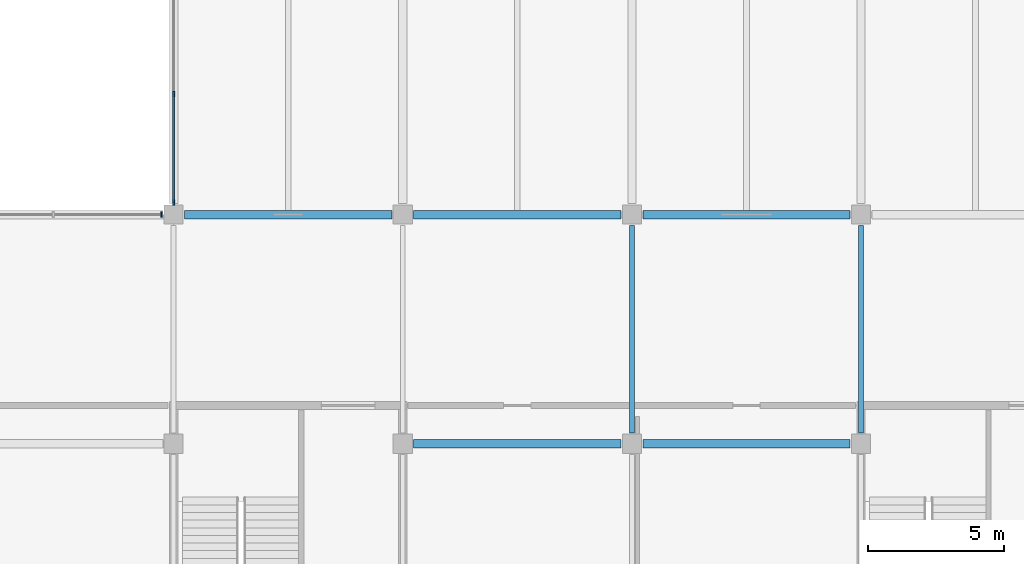
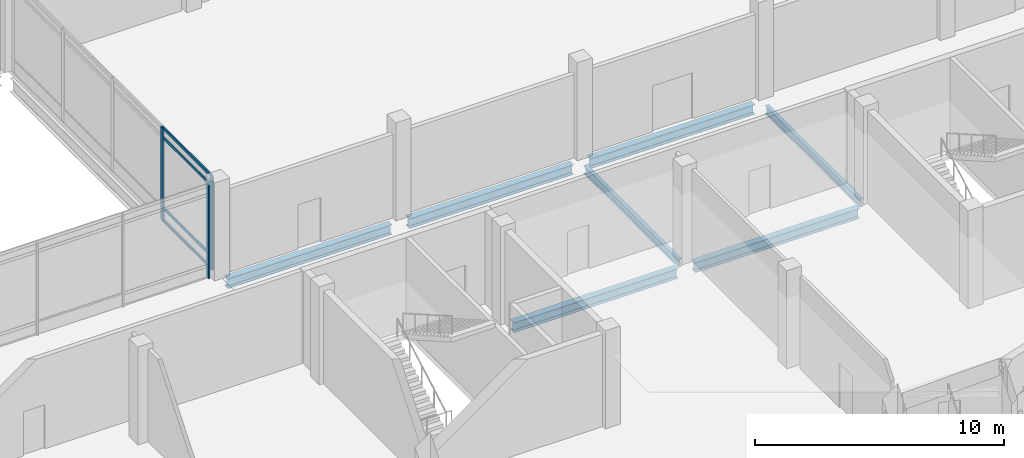
# One storey, part 7 of 110: 7 beams, 7 members, 2 elements without a shape of their own.
"""IFC4 building model written with IfcOpenShell, lengths in metres."""

from ifc_helpers import new_model, si_unit, direction, frame, origin, origin_2d, place, context, subcontext, project, spatial, rectangle, i_section, extrude, material, layer, layer_set, material_profile, profile_set, type_object, element, aggregate, save


model = new_model("IFC4")

# Units and contexts
model_context = context("Model", 3, precision=1e-05, world=origin(), true_north=direction((0.0, 1.0)))
body_context = subcontext(model_context, "Body", "Model", "MODEL_VIEW")
ifc_project = project(units=[si_unit("LENGTHUNIT", "METRE"), si_unit("AREAUNIT", "SQUARE_METRE"), si_unit("VOLUMEUNIT", "CUBIC_METRE"), si_unit("PLANEANGLEUNIT", "RADIAN"), si_unit("MASSUNIT", "GRAM", prefix="KILO")], contexts=[model_context])

# Site, building, storey
site_placement = place(None, origin())
site = spatial("IfcSite", under=ifc_project, at=site_placement, CompositionType="ELEMENT")
building_placement = place(site_placement, origin())
building = spatial("IfcBuilding", under=site, at=building_placement, Name="Qawsi Khor Wholesale Market", CompositionType="ELEMENT")
storey_placement = place(building_placement, frame((0.0, 0.0, 11.39990234375)))
storey = spatial("IfcBuildingStorey", under=building, at=storey_placement, Name="L02", CompositionType="ELEMENT", Elevation=11.39990234375)

# Curtain wall, member
ifc_material_1 = material(Name="Aluminium Anodised Bronze", Category="aluminium")
ifc_layer = layer(ifc_material_1, 0.179931640625, Name="Aluminium Anodised Bronze")
ifc_layer_set = layer_set([ifc_layer], Name="Aluminium Anodised Bronze")
curtain_wall_type = type_object("IfcCurtainWallType", Name="Atrium Full-Height Curtain Wall CW-02", PredefinedType="NOTDEFINED", material=ifc_layer_set)
curtain_wall_1_placement = place(storey_placement, origin())
curtain_wall_1 = element("IfcCurtainWall", 1, at=curtain_wall_1_placement, inside=storey, type_object=curtain_wall_type, Name="Curtain wall CW-CW-02-L02-021", PredefinedType="NOTDEFINED")
ifc_material_profile_1 = material_profile(ifc_material_1, rectangle(XDim=0.070068359375, YDim=0.199951171875, at=origin_2d()), Name="ALU MULLION 70x200")
ifc_profile_set_1 = profile_set([ifc_material_profile_1], Name="Aluminium Anodised Bronze")
member_type_1 = type_object("IfcMemberType", Name="Curtain Wall Mullion CW-02 ALU MULLION 70x200", PredefinedType="MULLION", material=ifc_profile_set_1)
member_1_placement = place(storey_placement, frame((66.7548828125, 25.199951171875, -0.02001953125), z_axis=(0.0, 0.0, 1.0), x_axis=(1.0, 0.0, 0.0)))
member_1 = element("IfcMember", 2, at=member_1_placement, type_object=member_type_1, Name="Mullion CW-CW-02-L02-021-M04", PredefinedType="MULLION", context=body_context, shape_type="SweptSolid", body=[
    extrude(rectangle(XDim=0.070068359375, YDim=0.199951171875, at=origin_2d()), origin(), (0.0, 0.0, 1.0), 4.5400390625),
])
aggregate(curtain_wall_1, [member_1])

# Curtain wall, members
curtain_wall_2_placement = place(storey_placement, origin())
curtain_wall_2 = element("IfcCurtainWall", 3, at=curtain_wall_2_placement, inside=storey, type_object=curtain_wall_type, Name="Curtain wall CW-CW-02-L02-025", PredefinedType="NOTDEFINED")
member_2_placement = place(storey_placement, frame((67.199951171875, 25.64501953125, -0.02001953125), z_axis=(0.0, 0.0, 1.0), x_axis=(1.0, 0.0, 0.0)))
member_2 = element("IfcMember", 4, at=member_2_placement, type_object=member_type_1, Name="Mullion CW-CW-02-L02-025-M00", PredefinedType="MULLION", context=body_context, shape_type="SweptSolid", body=[
    extrude(rectangle(XDim=0.070068359375, YDim=0.199951171875, at=origin_2d()), origin(), (0.0, 0.0, 1.0), 4.5400390625),
])
member_3_placement = place(storey_placement, frame((67.199951171875, 29.62255859375, -0.02001953125), z_axis=(0.0, 0.0, 1.0), x_axis=(1.0, 0.0, 0.0)))
member_3 = element("IfcMember", 5, at=member_3_placement, type_object=member_type_1, Name="Mullion CW-CW-02-L02-025-M01", PredefinedType="MULLION", context=body_context, shape_type="SweptSolid", body=[
    extrude(rectangle(XDim=0.070068359375, YDim=0.199951171875, at=origin_2d()), origin(), (0.0, 0.0, 1.0), 4.5400390625),
])
ifc_material_profile_2 = material_profile(ifc_material_1, rectangle(XDim=0.06494140625, YDim=0.139892578125, at=origin_2d()), Name="ALU TRANSOM 65x140")
ifc_profile_set_2 = profile_set([ifc_material_profile_2], Name="Aluminium Anodised Bronze")
member_type_2 = type_object("IfcMemberType", Name="Curtain Wall Transom CW-02 ALU TRANSOM 65x140", PredefinedType="USERDEFINED", material=ifc_profile_set_2)
member_4_placement = place(storey_placement, frame((67.199951171875, 25.64501953125, 0.0), z_axis=(0.0, 1.0, 0.0), x_axis=(-1.0, 0.0, 0.0)))
member_4 = element("IfcMember", 6, at=member_4_placement, type_object=member_type_2, Name="Transom CW-CW-02-L02-025-T0_00", ObjectType="TRANSOM", PredefinedType="USERDEFINED", context=body_context, shape_type="SweptSolid", body=[
    extrude(rectangle(XDim=0.06494140625, YDim=0.139892578125, at=origin_2d()), origin(), (0.0, 0.0, 1.0), 3.9775390625),
])
member_5_placement = place(storey_placement, frame((67.199951171875, 25.64501953125, 0.60009765625), z_axis=(0.0, 1.0, 0.0), x_axis=(-1.0, 0.0, 0.0)))
member_5 = element("IfcMember", 7, at=member_5_placement, type_object=member_type_2, Name="Transom CW-CW-02-L02-025-T1_00", ObjectType="TRANSOM", PredefinedType="USERDEFINED", context=body_context, shape_type="SweptSolid", body=[
    extrude(rectangle(XDim=0.06494140625, YDim=0.139892578125, at=origin_2d()), origin(), (0.0, 0.0, 1.0), 3.9775390625),
])
member_6_placement = place(storey_placement, frame((67.199951171875, 25.64501953125, 4.070068359375), z_axis=(0.0, 1.0, 0.0), x_axis=(-1.0, 0.0, 0.0)))
member_6 = element("IfcMember", 8, at=member_6_placement, type_object=member_type_2, Name="Transom CW-CW-02-L02-025-T2_00", ObjectType="TRANSOM", PredefinedType="USERDEFINED", context=body_context, shape_type="SweptSolid", body=[
    extrude(rectangle(XDim=0.06494140625, YDim=0.139892578125, at=origin_2d()), origin(), (0.0, 0.0, 1.0), 3.9775390625),
])
member_7_placement = place(storey_placement, frame((67.199951171875, 25.64501953125, 4.52001953125), z_axis=(0.0, 1.0, 0.0), x_axis=(-1.0, 0.0, 0.0)))
member_7 = element("IfcMember", 9, at=member_7_placement, type_object=member_type_2, Name="Transom CW-CW-02-L02-025-T3_00", ObjectType="TRANSOM", PredefinedType="USERDEFINED", context=body_context, shape_type="SweptSolid", body=[
    extrude(rectangle(XDim=0.06494140625, YDim=0.139892578125, at=origin_2d()), origin(), (0.0, 0.0, 1.0), 3.9775390625),
])
aggregate(curtain_wall_2, [member_2, member_3, member_4, member_5, member_6, member_7])

# Beams
ifc_material_2 = material(Name="Steel S355", Category="steel")
ifc_material_profile_3 = material_profile(ifc_material_2, i_section(OverallWidth=0.300048828125, OverallDepth=0.489990234375, WebThickness=0.011962890625, FlangeThickness=0.02294921875, FilletRadius=0.027099609375, at=origin_2d()), Name="HEA 500")
ifc_profile_set_3 = profile_set([ifc_material_profile_3], Name="Steel S355")
beam_type_1 = type_object("IfcBeamType", Name="Primary Girder HEA 500", PredefinedType="BEAM", material=ifc_profile_set_3)
beam_placement = place(storey_placement, frame((67.60009765625, 25.199951171875, -0.52490234375), z_axis=(1.0, 0.0, 0.0), x_axis=(0.0, 1.0, 0.0)))
element("IfcBeam", 10, at=beam_placement, inside=storey, type_object=beam_type_1, Name="BM-X-L02-08_+03", PredefinedType="BEAM", context=body_context, shape_type="SweptSolid", body=[
    extrude(i_section(OverallWidth=0.300048828125, OverallDepth=0.489990234375, WebThickness=0.011962890625, FlangeThickness=0.02294921875, FilletRadius=0.027099609375, at=origin_2d()), origin(), (0.0, 0.0, 1.0), 7.599853515625),
])
for number, where, z_axis, x_axis, name in (
    (11, (76.0, 16.800048828125, -0.52490234375), (1.0, 0.0, 0.0), (0.0, 1.0, 0.0), "BM-X-L02-09_+02"),
    (12, (76.0, 25.199951171875, -0.52490234375), (1.0, 0.0, 0.0), (0.0, 1.0, 0.0), "BM-X-L02-09_+03"),
    (13, (84.39990234375, 16.800048828125, -0.52490234375), (1.0, 0.0, 0.0), (0.0, 1.0, 0.0), "BM-X-L02-10_+02"),
    (14, (84.39990234375, 25.199951171875, -0.52490234375), (1.0, 0.0, 0.0), (0.0, 1.0, 0.0), "BM-X-L02-10_+03"),
):
    element("IfcBeam", number, at=place(storey_placement, frame(where, z_axis=z_axis, x_axis=x_axis)), inside=storey, type_object=beam_type_1, Name=name, PredefinedType="BEAM", context=body_context, shape_type="SweptSolid", body=[
        extrude(i_section(OverallWidth=0.300048828125, OverallDepth=0.489990234375, WebThickness=0.011962890625, FlangeThickness=0.02294921875, FilletRadius=0.027099609375, at=origin_2d()), origin(), (0.0, 0.0, 1.0), 7.60009765625),
    ])
ifc_material_profile_4 = material_profile(ifc_material_2, i_section(OverallWidth=0.179931640625, OverallDepth=0.39990234375, WebThickness=0.008544921875, FlangeThickness=0.013427734375, FilletRadius=0.02099609375, at=origin_2d()), Name="IPE 400")
ifc_profile_set_4 = profile_set([ifc_material_profile_4], Name="Steel S355")
beam_type_2 = type_object("IfcBeamType", Name="Secondary Beam IPE 400", PredefinedType="BEAM", material=ifc_profile_set_4)
for number, where, z_axis, x_axis, name in (
    (15, (84.0, 17.199951171875, -0.47998046875), (0.0, 1.0, 0.0), (-1.0, 0.0, 0.0), "BM-Y-L02-10_+02"),
    (16, (92.39990234375, 17.199951171875, -0.47998046875), (0.0, 1.0, 0.0), (-1.0, 0.0, 0.0), "BM-Y-L02-11_+02"),
):
    element("IfcBeam", number, at=place(storey_placement, frame(where, z_axis=z_axis, x_axis=x_axis)), inside=storey, type_object=beam_type_2, Name=name, PredefinedType="BEAM", context=body_context, shape_type="SweptSolid", body=[
        extrude(i_section(OverallWidth=0.179931640625, OverallDepth=0.39990234375, WebThickness=0.008544921875, FlangeThickness=0.013427734375, FilletRadius=0.02099609375, at=origin_2d()), origin(), (0.0, 0.0, 1.0), 7.60009765625),
    ])

save(model, "model.ifc")
